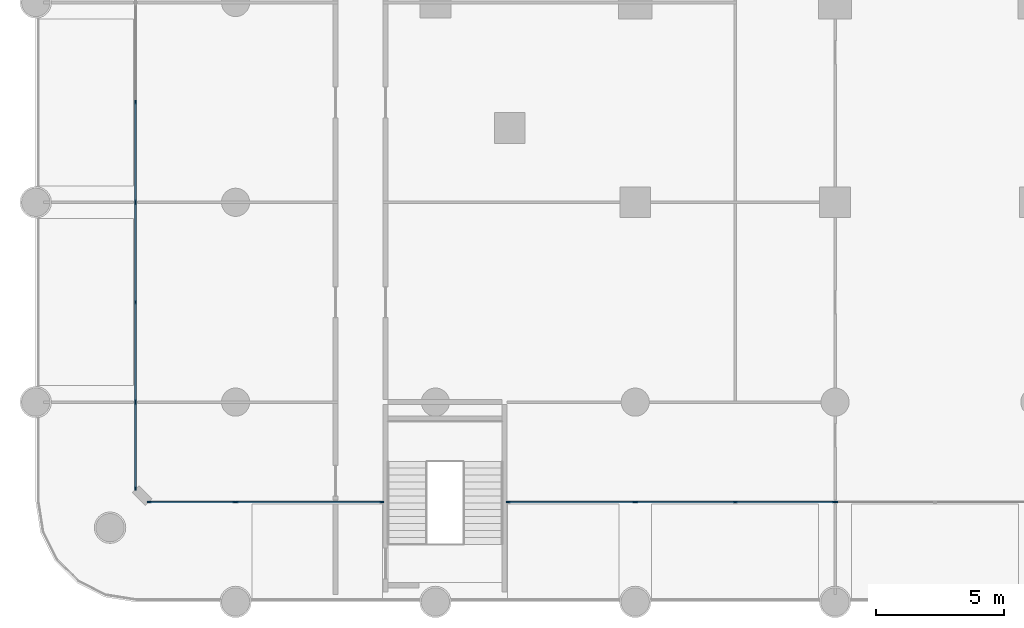
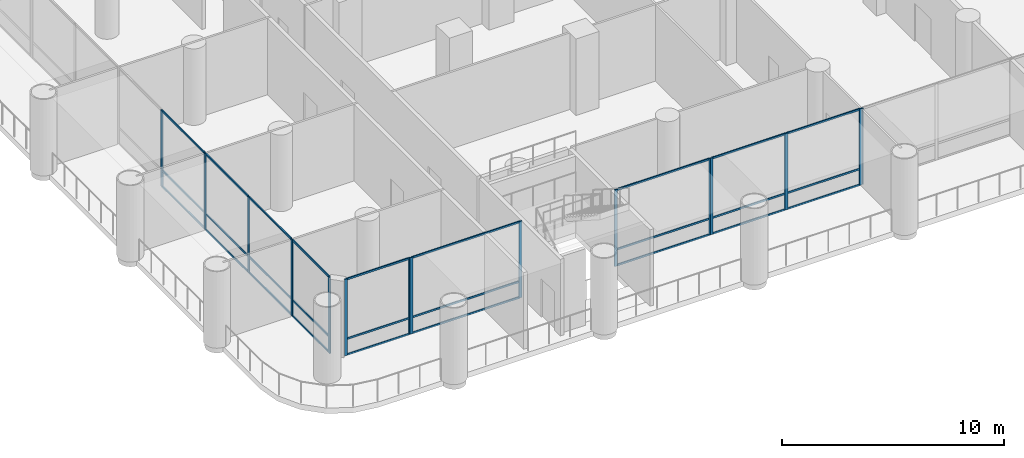
# One storey, part 2 of 24: 44 members, 8 elements without a shape of their own.
"""IFC4 building model written with IfcOpenShell, lengths in metres."""

import ifcopenshell
import ifcopenshell.guid

model = None  # the IFC model being written
_history = None  # IfcOwnerHistory: only IFC2X3 demands one
_inside = {}  # id of a spatial element -> (the spatial element, [elements in it])
_under = {}  # id of a project, library or spatial element -> (it, [spatial elements below it])
_declared = {}  # id of a project -> (the project, [libraries it declares])
_typed = {}  # id of a type object -> (the type object, [elements of that type])
_made_of = {}  # id of a material, layer set ... -> (it, [elements and type objects made of it])


def new_model(schema):
    """Start an empty IFC model of exactly this schema.

    Asked for "IFC4X3", IfcOpenShell would pick the latest addendum, in which some entities
    have other attributes; the version numbers below select the first issue.
    IFC2X3 requires an IfcOwnerHistory on every rooted entity: one is made here for all.
    """
    global model, _history
    if schema == "IFC4X3":
        model = ifcopenshell.file(schema_version=(4, 3, 0, 0))
    else:
        model = ifcopenshell.file(schema=schema)
    _inside.clear()
    _under.clear()
    _declared.clear()
    _typed.clear()
    _made_of.clear()
    _history = None
    if model.schema == "IFC2X3":
        org = make("IfcOrganization", Name="unknown")
        user = make(
            "IfcPersonAndOrganization",
            ThePerson=make("IfcPerson", FamilyName="unknown"),
            TheOrganization=org,
        )
        app = make(
            "IfcApplication",
            ApplicationDeveloper=org,
            Version="unknown",
            ApplicationFullName="unknown",
            ApplicationIdentifier="unknown",
        )
        _history = make(
            "IfcOwnerHistory",
            OwningUser=user,
            OwningApplication=app,
            ChangeAction="ADDED",
            CreationDate=0,
        )
    return model


def make(cls, **values):
    """One entity of the class cls with the attributes given. An attribute that is None is left unset."""
    return model.create_entity(
        cls, **{name: value for name, value in values.items() if value is not None}
    )


def rooted(cls, **values):
    """An entity with a GlobalId (a new one), such as an element, a storey or a relation."""
    return make(cls, GlobalId=ifcopenshell.guid.new(), OwnerHistory=_history, **values)


def si_unit(unit_type, name, prefix=None):
    """IfcSIUnit, for example si_unit("LENGTHUNIT", "METRE", prefix="MILLI")."""
    return make("IfcSIUnit", UnitType=unit_type, Prefix=prefix, Name=name)


def assignment(units):
    """IfcUnitAssignment: the units of a project."""
    return None if units is None else make("IfcUnitAssignment", Units=units)


def point(xyz):
    """IfcCartesianPoint."""
    return None if xyz is None else make("IfcCartesianPoint", Coordinates=xyz)


def direction(xyz):
    """IfcDirection."""
    return None if xyz is None else make("IfcDirection", DirectionRatios=xyz)


def frame(location, z_axis=None, x_axis=None):
    """IfcAxis2Placement3D, a coordinate frame: its origin and axes. An axis left out is left unset."""
    return make(
        "IfcAxis2Placement3D",
        Location=point(location),
        Axis=direction(z_axis),
        RefDirection=direction(x_axis),
    )


def frame_2d(location, x_axis=None):
    """IfcAxis2Placement2D, a coordinate frame in the plane: its origin and x axis."""
    return make(
        "IfcAxis2Placement2D", Location=point(location), RefDirection=direction(x_axis)
    )


def origin():
    """The frame at (0, 0, 0) with its axes left unset."""
    return frame((0.0, 0.0, 0.0))


def origin_2d():
    """The frame at (0, 0) in the plane with its x axis left unset."""
    return frame_2d((0.0, 0.0))


def place(relative_to, where):
    """IfcLocalPlacement: puts the frame where relative to a parent placement (None: the world)."""
    return make(
        "IfcLocalPlacement", PlacementRelTo=relative_to, RelativePlacement=where
    )


def context(
    kind, dimensions, precision=None, world=None, true_north=None, identifier=None
):
    """IfcGeometricRepresentationContext, for example the 3D "Model" context."""
    return make(
        "IfcGeometricRepresentationContext",
        ContextIdentifier=identifier,
        ContextType=kind,
        CoordinateSpaceDimension=dimensions,
        Precision=precision,
        WorldCoordinateSystem=world,
        TrueNorth=true_north,
    )


def subcontext(parent, identifier, kind, view, scale=None):
    """IfcGeometricRepresentationSubContext, for example "Body" below "Model"."""
    return make(
        "IfcGeometricRepresentationSubContext",
        ContextIdentifier=identifier,
        ContextType=kind,
        ParentContext=parent,
        TargetScale=scale,
        TargetView=view,
    )


def project(units=None, contexts=None):
    """IfcProject with its units and contexts."""
    return rooted(
        "IfcProject",
        Name="project",
        RepresentationContexts=contexts,
        UnitsInContext=assignment(units),
    )


def spatial(cls, under=None, at=None, **own):
    """A site, building, storey or space (cls), placed at a placement, below another one or the project."""
    s = rooted(cls, ObjectPlacement=at, **own)
    if under is not None:
        _under.setdefault(under.id(), (under, []))[1].append(s)
    return s


def profile(cls, at=None, kind="AREA", **sizes):
    """A parametric profile (cls). Its sizes go by their IFC names, for example OverallWidth=200.0."""
    return make(cls, ProfileType=kind, Position=at, **sizes)


def rectangle(**sizes):
    """IfcRectangleProfileDef."""
    return profile("IfcRectangleProfileDef", **sizes)


def extrude(swept, where, along, depth):
    """IfcExtrudedAreaSolid: the profile swept, set in the frame where, extruded along a direction by depth."""
    return make(
        "IfcExtrudedAreaSolid",
        SweptArea=swept,
        Position=where,
        ExtrudedDirection=direction(along),
        Depth=depth,
    )


def shape(context_of_items, identifier, shape_type, items):
    """IfcShapeRepresentation: the items that make up one representation, for example the "Body"."""
    return make(
        "IfcShapeRepresentation",
        ContextOfItems=context_of_items,
        RepresentationIdentifier=identifier,
        RepresentationType=shape_type,
        Items=items,
    )


def material(Name=None, Category=None):
    """IfcMaterial."""
    return make("IfcMaterial", Name=Name, Category=Category)


def material_profile(
    of_material, cross_section, Name=None, Category=None, Priority=None
):
    """IfcMaterialProfile: a cross section and its material."""
    return make(
        "IfcMaterialProfile",
        Name=Name,
        Material=of_material,
        Profile=cross_section,
        Priority=Priority,
        Category=Category,
    )


def profile_set(profiles, Name=None, composite=None):
    """IfcMaterialProfileSet."""
    return make(
        "IfcMaterialProfileSet",
        Name=Name,
        MaterialProfiles=profiles,
        CompositeProfile=composite,
    )


def made_of(thing, what):
    """Note that an element or type object is made of a material, layer set ...; save() writes the relation."""
    if what is not None:
        _made_of.setdefault(what.id(), (what, []))[1].append(thing)
    return thing


def type_object(cls, material=None, **own):
    """A type object (cls), such as IfcWallType, which elements share."""
    return made_of(rooted(cls, **own), material)


def element(
    cls,
    number,
    at=None,
    inside=None,
    cuts=None,
    type_object=None,
    material=None,
    context=None,
    identifier="Body",
    shape_type=None,
    held_by="IfcProductDefinitionShape",
    body=None,
    shapes=None,
    **own,
):
    """One element of the class cls, such as IfcWall. Its Tag is "e" and its number.

    at: its placement. inside: the storey or other place that contains it. cuts: it is an
    opening in that element (IfcRelVoidsElement). A single representation is given by context,
    identifier, shape_type and body (its items); several are given by shapes. held_by: the class
    of the entity that holds the representations. save() writes the other relations.
    """
    e = rooted(cls, Tag="e%d" % number, ObjectPlacement=at, **own)
    if body is not None:
        shapes = [shape(context, identifier, shape_type, body)]
    if shapes is not None:
        e.Representation = make(held_by, Representations=shapes)
    if inside is not None:
        _inside.setdefault(inside.id(), (inside, []))[1].append(e)
    if cuts is not None:
        rooted(
            "IfcRelVoidsElement", RelatingBuildingElement=cuts, RelatedOpeningElement=e
        )
    if type_object is not None:
        _typed.setdefault(type_object.id(), (type_object, []))[1].append(e)
    return made_of(e, material)


def aggregate(whole, parts):
    """IfcRelAggregates: a whole, such as a stair, and the parts it consists of."""
    return rooted("IfcRelAggregates", RelatingObject=whole, RelatedObjects=parts)


def save(model, path):
    """Write the relations noted so far, then the file.

    IfcRelAggregates (storeys below a building ...), IfcRelContainedInSpatialStructure (elements
    in a storey), IfcRelDefinesByType, IfcRelAssociatesMaterial and IfcRelDeclares: one each for
    every whole, place, type object, material and project.
    """
    for whole, parts in _under.values():
        aggregate(whole, parts)
    for where, things in _inside.values():
        rooted(
            "IfcRelContainedInSpatialStructure",
            RelatedElements=things,
            RelatingStructure=where,
        )
    for kind, things in _typed.values():
        rooted("IfcRelDefinesByType", RelatedObjects=things, RelatingType=kind)
    for what, things in _made_of.values():
        rooted("IfcRelAssociatesMaterial", RelatedObjects=things, RelatingMaterial=what)
    for by, libraries in _declared.values():
        rooted("IfcRelDeclares", RelatingContext=by, RelatedDefinitions=libraries)
    model.write(path)


model = new_model("IFC4")

# Units and contexts
model_context = context("Model", 3, precision=1e-05, world=origin(), true_north=direction((0.0, 1.0)))
body_context = subcontext(model_context, "Body", "Model", "MODEL_VIEW")
ifc_project = project(units=[si_unit("LENGTHUNIT", "METRE"), si_unit("AREAUNIT", "SQUARE_METRE"), si_unit("VOLUMEUNIT", "CUBIC_METRE"), si_unit("PLANEANGLEUNIT", "RADIAN"), si_unit("MASSUNIT", "GRAM", prefix="KILO")], contexts=[model_context])

# Site, building, storey
site_placement = place(None, origin())
site = spatial("IfcSite", under=ifc_project, at=site_placement, CompositionType="ELEMENT")
building_placement = place(site_placement, origin())
building = spatial("IfcBuilding", under=site, at=building_placement, Name="Ludao Terraces", CompositionType="ELEMENT")
storey_placement = place(building_placement, frame((0.0, 0.0, 6.0)))
storey = spatial("IfcBuildingStorey", under=building, at=storey_placement, Name="L01", CompositionType="ELEMENT", Elevation=6.0)

# Curtain wall, members
ifc_material_1 = material(Name="Aluminium curtain wall with fritted glass", Category="aluminium")
curtain_wall_type = type_object("IfcCurtainWallType", Name="ENV CW1 podium glazing", PredefinedType="NOTDEFINED", material=ifc_material_1)
curtain_wall_1_placement = place(storey_placement, origin())
curtain_wall_1 = element("IfcCurtainWall", 1, at=curtain_wall_1_placement, inside=storey, type_object=curtain_wall_type, Name="CW-L01-S1", PredefinedType="NOTDEFINED")
ifc_material_2 = material(Name="Aluminium 6063-T6", Category="aluminium")
ifc_material_profile_1 = material_profile(ifc_material_2, rectangle(XDim=0.06005859375, YDim=0.14990234375, at=origin_2d()), Name="60 X 150")
ifc_profile_set_1 = profile_set([ifc_material_profile_1], Name="Aluminium 6063-T6")
member_type_1 = type_object("IfcMemberType", Name="ENV CW1 mullion 60x150", PredefinedType="MULLION", material=ifc_profile_set_1)
member_1_placement = place(storey_placement, frame((50.429931640625, 29.89990234375, 0.0), z_axis=(0.0, 0.0, 1.0), x_axis=(0.0, 1.0, 0.0)))
member_1 = element("IfcMember", 2, at=member_1_placement, type_object=member_type_1, Name="CW1 mullion 1", PredefinedType="MULLION", context=body_context, shape_type="SweptSolid", body=[
    extrude(rectangle(XDim=0.06005859375, YDim=0.14990234375, at=origin_2d()), origin(), (0.0, 0.0, 1.0), 4.199951171875),
])
member_2_placement = place(storey_placement, frame((53.77001953125, 29.89990234375, 0.0), z_axis=(0.0, 0.0, 1.0), x_axis=(0.0, 1.0, 0.0)))
member_2 = element("IfcMember", 3, at=member_2_placement, type_object=member_type_1, Name="CW1 mullion 2", PredefinedType="MULLION", context=body_context, shape_type="SweptSolid", body=[
    extrude(rectangle(XDim=0.06005859375, YDim=0.14990234375, at=origin_2d()), origin(), (0.0, 0.0, 1.0), 4.199951171875),
])

curtain_wall_2_placement = place(storey_placement, origin())
curtain_wall_2 = element("IfcCurtainWall", 4, at=curtain_wall_2_placement, inside=storey, type_object=curtain_wall_type, Name="CW-L01-S2", PredefinedType="NOTDEFINED")
member_3_placement = place(storey_placement, frame((53.830078125, 29.89990234375, 0.0), z_axis=(0.0, 0.0, 1.0), x_axis=(0.0, 1.0, 0.0)))
member_3 = element("IfcMember", 5, at=member_3_placement, type_object=member_type_1, Name="CW1 mullion 1", PredefinedType="MULLION", context=body_context, shape_type="SweptSolid", body=[
    extrude(rectangle(XDim=0.06005859375, YDim=0.14990234375, at=origin_2d()), origin(), (0.0, 0.0, 1.0), 4.199951171875),
])
member_4_placement = place(storey_placement, frame((59.5, 29.89990234375, 0.0), z_axis=(0.0, 0.0, 1.0), x_axis=(0.0, 1.0, 0.0)))
member_4 = element("IfcMember", 6, at=member_4_placement, type_object=member_type_1, Name="CW1 mullion 2", PredefinedType="MULLION", context=body_context, shape_type="SweptSolid", body=[
    extrude(rectangle(XDim=0.06005859375, YDim=0.14990234375, at=origin_2d()), origin(), (0.0, 0.0, 1.0), 4.199951171875),
])

curtain_wall_3_placement = place(storey_placement, origin())
curtain_wall_3 = element("IfcCurtainWall", 7, at=curtain_wall_3_placement, inside=storey, type_object=curtain_wall_type, Name="CW-L01-S3", PredefinedType="NOTDEFINED")
member_5_placement = place(storey_placement, frame((64.449951171875, 29.89990234375, 0.0), z_axis=(0.0, 0.0, 1.0), x_axis=(0.0, 1.0, 0.0)))
member_5 = element("IfcMember", 8, at=member_5_placement, type_object=member_type_1, Name="CW1 mullion 1", PredefinedType="MULLION", context=body_context, shape_type="SweptSolid", body=[
    extrude(rectangle(XDim=0.06005859375, YDim=0.14990234375, at=origin_2d()), origin(), (0.0, 0.0, 1.0), 4.199951171875),
])
member_6_placement = place(storey_placement, frame((69.3701171875, 29.89990234375, 0.0), z_axis=(0.0, 0.0, 1.0), x_axis=(0.0, 1.0, 0.0)))
member_6 = element("IfcMember", 9, at=member_6_placement, type_object=member_type_1, Name="CW1 mullion 2", PredefinedType="MULLION", context=body_context, shape_type="SweptSolid", body=[
    extrude(rectangle(XDim=0.06005859375, YDim=0.14990234375, at=origin_2d()), origin(), (0.0, 0.0, 1.0), 4.199951171875),
])

curtain_wall_4_placement = place(storey_placement, origin())
curtain_wall_4 = element("IfcCurtainWall", 10, at=curtain_wall_4_placement, inside=storey, type_object=curtain_wall_type, Name="CW-L01-S4", PredefinedType="NOTDEFINED")
member_7_placement = place(storey_placement, frame((69.429931640625, 29.89990234375, 0.0), z_axis=(0.0, 0.0, 1.0), x_axis=(0.0, 1.0, 0.0)))
member_7 = element("IfcMember", 11, at=member_7_placement, type_object=member_type_1, Name="CW1 mullion 1", PredefinedType="MULLION", context=body_context, shape_type="SweptSolid", body=[
    extrude(rectangle(XDim=0.06005859375, YDim=0.14990234375, at=origin_2d()), origin(), (0.0, 0.0, 1.0), 4.199951171875),
])
member_8_placement = place(storey_placement, frame((73.300048828125, 29.89990234375, 0.0), z_axis=(0.0, 0.0, 1.0), x_axis=(0.0, 1.0, 0.0)))
member_8 = element("IfcMember", 12, at=member_8_placement, type_object=member_type_1, Name="CW1 mullion 2", PredefinedType="MULLION", context=body_context, shape_type="SweptSolid", body=[
    extrude(rectangle(XDim=0.06005859375, YDim=0.14990234375, at=origin_2d()), origin(), (0.0, 0.0, 1.0), 4.199951171875),
])
member_9_placement = place(storey_placement, frame((77.169921875, 29.89990234375, 0.0), z_axis=(0.0, 0.0, 1.0), x_axis=(0.0, 1.0, 0.0)))
member_9 = element("IfcMember", 13, at=member_9_placement, type_object=member_type_1, Name="CW1 mullion 3", PredefinedType="MULLION", context=body_context, shape_type="SweptSolid", body=[
    extrude(rectangle(XDim=0.06005859375, YDim=0.14990234375, at=origin_2d()), origin(), (0.0, 0.0, 1.0), 4.199951171875),
])

# Curtain wall, member
curtain_wall_5_placement = place(storey_placement, origin())
curtain_wall_5 = element("IfcCurtainWall", 14, at=curtain_wall_5_placement, inside=storey, type_object=curtain_wall_type, Name="CW-L01-S5", PredefinedType="NOTDEFINED")
member_10_placement = place(storey_placement, frame((77.22998046875, 29.89990234375, 0.0), z_axis=(0.0, 0.0, 1.0), x_axis=(0.0, 1.0, 0.0)))
member_10 = element("IfcMember", 15, at=member_10_placement, type_object=member_type_1, Name="CW1 mullion 1", PredefinedType="MULLION", context=body_context, shape_type="SweptSolid", body=[
    extrude(rectangle(XDim=0.06005859375, YDim=0.14990234375, at=origin_2d()), origin(), (0.0, 0.0, 1.0), 4.199951171875),
])
aggregate(curtain_wall_5, [member_10])

# Curtain wall, members
curtain_wall_6_placement = place(storey_placement, origin())
curtain_wall_6 = element("IfcCurtainWall", 16, at=curtain_wall_6_placement, inside=storey, type_object=curtain_wall_type, Name="CW-L01-W1", PredefinedType="NOTDEFINED")
member_11_placement = place(storey_placement, frame((49.89990234375, 30.429931640625, 0.0), z_axis=(0.0, 0.0, 1.0), x_axis=(-1.0, 0.0, 0.0)))
member_11 = element("IfcMember", 17, at=member_11_placement, type_object=member_type_1, Name="CW1 mullion 1", PredefinedType="MULLION", context=body_context, shape_type="SweptSolid", body=[
    extrude(rectangle(XDim=0.06005859375, YDim=0.14990234375, at=origin_2d()), origin(), (0.0, 0.0, 1.0), 4.199951171875),
])
member_12_placement = place(storey_placement, frame((49.89990234375, 33.77001953125, 0.0), z_axis=(0.0, 0.0, 1.0), x_axis=(-1.0, 0.0, 0.0)))
member_12 = element("IfcMember", 18, at=member_12_placement, type_object=member_type_1, Name="CW1 mullion 2", PredefinedType="MULLION", context=body_context, shape_type="SweptSolid", body=[
    extrude(rectangle(XDim=0.06005859375, YDim=0.14990234375, at=origin_2d()), origin(), (0.0, 0.0, 1.0), 4.199951171875),
])

curtain_wall_7_placement = place(storey_placement, origin())
curtain_wall_7 = element("IfcCurtainWall", 19, at=curtain_wall_7_placement, inside=storey, type_object=curtain_wall_type, Name="CW-L01-W2", PredefinedType="NOTDEFINED")
member_13_placement = place(storey_placement, frame((49.89990234375, 33.830078125, 0.0), z_axis=(0.0, 0.0, 1.0), x_axis=(-1.0, 0.0, 0.0)))
member_13 = element("IfcMember", 20, at=member_13_placement, type_object=member_type_1, Name="CW1 mullion 1", PredefinedType="MULLION", context=body_context, shape_type="SweptSolid", body=[
    extrude(rectangle(XDim=0.06005859375, YDim=0.14990234375, at=origin_2d()), origin(), (0.0, 0.0, 1.0), 4.199951171875),
])
member_14_placement = place(storey_placement, frame((49.89990234375, 37.699951171875, 0.0), z_axis=(0.0, 0.0, 1.0), x_axis=(-1.0, 0.0, 0.0)))
member_14 = element("IfcMember", 21, at=member_14_placement, type_object=member_type_1, Name="CW1 mullion 2", PredefinedType="MULLION", context=body_context, shape_type="SweptSolid", body=[
    extrude(rectangle(XDim=0.06005859375, YDim=0.14990234375, at=origin_2d()), origin(), (0.0, 0.0, 1.0), 4.199951171875),
])
member_15_placement = place(storey_placement, frame((49.89990234375, 41.570068359375, 0.0), z_axis=(0.0, 0.0, 1.0), x_axis=(-1.0, 0.0, 0.0)))
member_15 = element("IfcMember", 22, at=member_15_placement, type_object=member_type_1, Name="CW1 mullion 3", PredefinedType="MULLION", context=body_context, shape_type="SweptSolid", body=[
    extrude(rectangle(XDim=0.06005859375, YDim=0.14990234375, at=origin_2d()), origin(), (0.0, 0.0, 1.0), 4.199951171875),
])

curtain_wall_8_placement = place(storey_placement, origin())
curtain_wall_8 = element("IfcCurtainWall", 23, at=curtain_wall_8_placement, inside=storey, type_object=curtain_wall_type, Name="CW-L01-W3", PredefinedType="NOTDEFINED")
member_16_placement = place(storey_placement, frame((49.89990234375, 41.6298828125, 0.0), z_axis=(0.0, 0.0, 1.0), x_axis=(-1.0, 0.0, 0.0)))
member_16 = element("IfcMember", 24, at=member_16_placement, type_object=member_type_1, Name="CW1 mullion 1", PredefinedType="MULLION", context=body_context, shape_type="SweptSolid", body=[
    extrude(rectangle(XDim=0.06005859375, YDim=0.14990234375, at=origin_2d()), origin(), (0.0, 0.0, 1.0), 4.199951171875),
])
member_17_placement = place(storey_placement, frame((49.89990234375, 45.5, 0.0), z_axis=(0.0, 0.0, 1.0), x_axis=(-1.0, 0.0, 0.0)))
member_17 = element("IfcMember", 25, at=member_17_placement, type_object=member_type_1, Name="CW1 mullion 2", PredefinedType="MULLION", context=body_context, shape_type="SweptSolid", body=[
    extrude(rectangle(XDim=0.06005859375, YDim=0.14990234375, at=origin_2d()), origin(), (0.0, 0.0, 1.0), 4.199951171875),
])

# Member
ifc_material_profile_2 = material_profile(ifc_material_2, rectangle(XDim=0.06005859375, YDim=0.10009765625, at=origin_2d()), Name="60 X 100")
ifc_profile_set_2 = profile_set([ifc_material_profile_2], Name="Aluminium 6063-T6")
member_type_2 = type_object("IfcMemberType", Name="ENV CW1 transom 60x100", PredefinedType="USERDEFINED", material=ifc_profile_set_2)
member_18_placement = place(storey_placement, frame((50.4599609375, 29.89990234375, 0.030029296875), z_axis=(1.0, 0.0, 0.0), x_axis=(0.0, 1.0, 0.0)))
member_18 = element("IfcMember", 26, at=member_18_placement, type_object=member_type_2, Name="CW1 transom 1.1", ObjectType="TRANSOM", PredefinedType="USERDEFINED", context=body_context, shape_type="SweptSolid", body=[
    extrude(rectangle(XDim=0.06005859375, YDim=0.10009765625, at=origin_2d()), origin(), (0.0, 0.0, 1.0), 3.280029296875),
])

member_19_placement = place(storey_placement, frame((50.4599609375, 29.89990234375, 0.89990234375), z_axis=(1.0, 0.0, 0.0), x_axis=(0.0, 1.0, 0.0)))
member_19 = element("IfcMember", 27, at=member_19_placement, type_object=member_type_2, Name="CW1 transom 1.2", ObjectType="TRANSOM", PredefinedType="USERDEFINED", context=body_context, shape_type="SweptSolid", body=[
    extrude(rectangle(XDim=0.06005859375, YDim=0.10009765625, at=origin_2d()), origin(), (0.0, 0.0, 1.0), 3.280029296875),
])

member_20_placement = place(storey_placement, frame((50.4599609375, 29.89990234375, 4.169921875), z_axis=(1.0, 0.0, 0.0), x_axis=(0.0, 1.0, 0.0)))
member_20 = element("IfcMember", 28, at=member_20_placement, type_object=member_type_2, Name="CW1 transom 1.3", ObjectType="TRANSOM", PredefinedType="USERDEFINED", context=body_context, shape_type="SweptSolid", body=[
    extrude(rectangle(XDim=0.06005859375, YDim=0.10009765625, at=origin_2d()), origin(), (0.0, 0.0, 1.0), 3.280029296875),
])

aggregate(curtain_wall_1, [member_1, member_2, member_18, member_19, member_20])

member_21_placement = place(storey_placement, frame((53.860107421875, 29.89990234375, 0.030029296875), z_axis=(1.0, 0.0, 0.0), x_axis=(0.0, 1.0, 0.0)))
member_21 = element("IfcMember", 29, at=member_21_placement, type_object=member_type_2, Name="CW1 transom 1.1", ObjectType="TRANSOM", PredefinedType="USERDEFINED", context=body_context, shape_type="SweptSolid", body=[
    extrude(rectangle(XDim=0.06005859375, YDim=0.10009765625, at=origin_2d()), origin(), (0.0, 0.0, 1.0), 5.60986328125),
])

member_22_placement = place(storey_placement, frame((53.860107421875, 29.89990234375, 0.89990234375), z_axis=(1.0, 0.0, 0.0), x_axis=(0.0, 1.0, 0.0)))
member_22 = element("IfcMember", 30, at=member_22_placement, type_object=member_type_2, Name="CW1 transom 1.2", ObjectType="TRANSOM", PredefinedType="USERDEFINED", context=body_context, shape_type="SweptSolid", body=[
    extrude(rectangle(XDim=0.06005859375, YDim=0.10009765625, at=origin_2d()), origin(), (0.0, 0.0, 1.0), 5.60986328125),
])

member_23_placement = place(storey_placement, frame((53.860107421875, 29.89990234375, 4.169921875), z_axis=(1.0, 0.0, 0.0), x_axis=(0.0, 1.0, 0.0)))
member_23 = element("IfcMember", 31, at=member_23_placement, type_object=member_type_2, Name="CW1 transom 1.3", ObjectType="TRANSOM", PredefinedType="USERDEFINED", context=body_context, shape_type="SweptSolid", body=[
    extrude(rectangle(XDim=0.06005859375, YDim=0.10009765625, at=origin_2d()), origin(), (0.0, 0.0, 1.0), 5.60986328125),
])

aggregate(curtain_wall_2, [member_3, member_4, member_21, member_22, member_23])

member_24_placement = place(storey_placement, frame((64.47998046875, 29.89990234375, 0.030029296875), z_axis=(1.0, 0.0, 0.0), x_axis=(0.0, 1.0, 0.0)))
member_24 = element("IfcMember", 32, at=member_24_placement, type_object=member_type_2, Name="CW1 transom 1.1", ObjectType="TRANSOM", PredefinedType="USERDEFINED", context=body_context, shape_type="SweptSolid", body=[
    extrude(rectangle(XDim=0.06005859375, YDim=0.10009765625, at=origin_2d()), origin(), (0.0, 0.0, 1.0), 4.860107421875),
])

member_25_placement = place(storey_placement, frame((64.47998046875, 29.89990234375, 0.89990234375), z_axis=(1.0, 0.0, 0.0), x_axis=(0.0, 1.0, 0.0)))
member_25 = element("IfcMember", 33, at=member_25_placement, type_object=member_type_2, Name="CW1 transom 1.2", ObjectType="TRANSOM", PredefinedType="USERDEFINED", context=body_context, shape_type="SweptSolid", body=[
    extrude(rectangle(XDim=0.06005859375, YDim=0.10009765625, at=origin_2d()), origin(), (0.0, 0.0, 1.0), 4.860107421875),
])

member_26_placement = place(storey_placement, frame((64.47998046875, 29.89990234375, 4.169921875), z_axis=(1.0, 0.0, 0.0), x_axis=(0.0, 1.0, 0.0)))
member_26 = element("IfcMember", 34, at=member_26_placement, type_object=member_type_2, Name="CW1 transom 1.3", ObjectType="TRANSOM", PredefinedType="USERDEFINED", context=body_context, shape_type="SweptSolid", body=[
    extrude(rectangle(XDim=0.06005859375, YDim=0.10009765625, at=origin_2d()), origin(), (0.0, 0.0, 1.0), 4.860107421875),
])

aggregate(curtain_wall_3, [member_5, member_6, member_24, member_25, member_26])

member_27_placement = place(storey_placement, frame((69.4599609375, 29.89990234375, 0.030029296875), z_axis=(1.0, 0.0, 0.0), x_axis=(0.0, 1.0, 0.0)))
member_27 = element("IfcMember", 35, at=member_27_placement, type_object=member_type_2, Name="CW1 transom 1.1", ObjectType="TRANSOM", PredefinedType="USERDEFINED", context=body_context, shape_type="SweptSolid", body=[
    extrude(rectangle(XDim=0.06005859375, YDim=0.10009765625, at=origin_2d()), origin(), (0.0, 0.0, 1.0), 3.81005859375),
])

member_28_placement = place(storey_placement, frame((69.4599609375, 29.89990234375, 0.89990234375), z_axis=(1.0, 0.0, 0.0), x_axis=(0.0, 1.0, 0.0)))
member_28 = element("IfcMember", 36, at=member_28_placement, type_object=member_type_2, Name="CW1 transom 1.2", ObjectType="TRANSOM", PredefinedType="USERDEFINED", context=body_context, shape_type="SweptSolid", body=[
    extrude(rectangle(XDim=0.06005859375, YDim=0.10009765625, at=origin_2d()), origin(), (0.0, 0.0, 1.0), 3.81005859375),
])

member_29_placement = place(storey_placement, frame((69.4599609375, 29.89990234375, 4.169921875), z_axis=(1.0, 0.0, 0.0), x_axis=(0.0, 1.0, 0.0)))
member_29 = element("IfcMember", 37, at=member_29_placement, type_object=member_type_2, Name="CW1 transom 1.3", ObjectType="TRANSOM", PredefinedType="USERDEFINED", context=body_context, shape_type="SweptSolid", body=[
    extrude(rectangle(XDim=0.06005859375, YDim=0.10009765625, at=origin_2d()), origin(), (0.0, 0.0, 1.0), 3.81005859375),
])

member_30_placement = place(storey_placement, frame((73.330078125, 29.89990234375, 0.030029296875), z_axis=(1.0, 0.0, 0.0), x_axis=(0.0, 1.0, 0.0)))
member_30 = element("IfcMember", 38, at=member_30_placement, type_object=member_type_2, Name="CW1 transom 2.1", ObjectType="TRANSOM", PredefinedType="USERDEFINED", context=body_context, shape_type="SweptSolid", body=[
    extrude(rectangle(XDim=0.06005859375, YDim=0.10009765625, at=origin_2d()), origin(), (0.0, 0.0, 1.0), 3.809814453125),
])

member_31_placement = place(storey_placement, frame((73.330078125, 29.89990234375, 0.89990234375), z_axis=(1.0, 0.0, 0.0), x_axis=(0.0, 1.0, 0.0)))
member_31 = element("IfcMember", 39, at=member_31_placement, type_object=member_type_2, Name="CW1 transom 2.2", ObjectType="TRANSOM", PredefinedType="USERDEFINED", context=body_context, shape_type="SweptSolid", body=[
    extrude(rectangle(XDim=0.06005859375, YDim=0.10009765625, at=origin_2d()), origin(), (0.0, 0.0, 1.0), 3.809814453125),
])

member_32_placement = place(storey_placement, frame((73.330078125, 29.89990234375, 4.169921875), z_axis=(1.0, 0.0, 0.0), x_axis=(0.0, 1.0, 0.0)))
member_32 = element("IfcMember", 40, at=member_32_placement, type_object=member_type_2, Name="CW1 transom 2.3", ObjectType="TRANSOM", PredefinedType="USERDEFINED", context=body_context, shape_type="SweptSolid", body=[
    extrude(rectangle(XDim=0.06005859375, YDim=0.10009765625, at=origin_2d()), origin(), (0.0, 0.0, 1.0), 3.809814453125),
])

aggregate(curtain_wall_4, [member_7, member_8, member_9, member_27, member_28, member_29, member_30, member_31, member_32])

member_33_placement = place(storey_placement, frame((49.89990234375, 30.4599609375, 0.030029296875), z_axis=(0.0, 1.0, 0.0), x_axis=(-1.0, 0.0, 0.0)))
member_33 = element("IfcMember", 41, at=member_33_placement, type_object=member_type_2, Name="CW1 transom 1.1", ObjectType="TRANSOM", PredefinedType="USERDEFINED", context=body_context, shape_type="SweptSolid", body=[
    extrude(rectangle(XDim=0.06005859375, YDim=0.10009765625, at=origin_2d()), origin(), (0.0, 0.0, 1.0), 3.280029296875),
])

member_34_placement = place(storey_placement, frame((49.89990234375, 30.4599609375, 0.89990234375), z_axis=(0.0, 1.0, 0.0), x_axis=(-1.0, 0.0, 0.0)))
member_34 = element("IfcMember", 42, at=member_34_placement, type_object=member_type_2, Name="CW1 transom 1.2", ObjectType="TRANSOM", PredefinedType="USERDEFINED", context=body_context, shape_type="SweptSolid", body=[
    extrude(rectangle(XDim=0.06005859375, YDim=0.10009765625, at=origin_2d()), origin(), (0.0, 0.0, 1.0), 3.280029296875),
])

member_35_placement = place(storey_placement, frame((49.89990234375, 30.4599609375, 4.169921875), z_axis=(0.0, 1.0, 0.0), x_axis=(-1.0, 0.0, 0.0)))
member_35 = element("IfcMember", 43, at=member_35_placement, type_object=member_type_2, Name="CW1 transom 1.3", ObjectType="TRANSOM", PredefinedType="USERDEFINED", context=body_context, shape_type="SweptSolid", body=[
    extrude(rectangle(XDim=0.06005859375, YDim=0.10009765625, at=origin_2d()), origin(), (0.0, 0.0, 1.0), 3.280029296875),
])

aggregate(curtain_wall_6, [member_11, member_12, member_33, member_34, member_35])

member_36_placement = place(storey_placement, frame((49.89990234375, 33.860107421875, 0.030029296875), z_axis=(0.0, 1.0, 0.0), x_axis=(-1.0, 0.0, 0.0)))
member_36 = element("IfcMember", 44, at=member_36_placement, type_object=member_type_2, Name="CW1 transom 1.1", ObjectType="TRANSOM", PredefinedType="USERDEFINED", context=body_context, shape_type="SweptSolid", body=[
    extrude(rectangle(XDim=0.06005859375, YDim=0.10009765625, at=origin_2d()), origin(), (0.0, 0.0, 1.0), 3.809814453125),
])

member_37_placement = place(storey_placement, frame((49.89990234375, 33.860107421875, 0.89990234375), z_axis=(0.0, 1.0, 0.0), x_axis=(-1.0, 0.0, 0.0)))
member_37 = element("IfcMember", 45, at=member_37_placement, type_object=member_type_2, Name="CW1 transom 1.2", ObjectType="TRANSOM", PredefinedType="USERDEFINED", context=body_context, shape_type="SweptSolid", body=[
    extrude(rectangle(XDim=0.06005859375, YDim=0.10009765625, at=origin_2d()), origin(), (0.0, 0.0, 1.0), 3.809814453125),
])

member_38_placement = place(storey_placement, frame((49.89990234375, 33.860107421875, 4.169921875), z_axis=(0.0, 1.0, 0.0), x_axis=(-1.0, 0.0, 0.0)))
member_38 = element("IfcMember", 46, at=member_38_placement, type_object=member_type_2, Name="CW1 transom 1.3", ObjectType="TRANSOM", PredefinedType="USERDEFINED", context=body_context, shape_type="SweptSolid", body=[
    extrude(rectangle(XDim=0.06005859375, YDim=0.10009765625, at=origin_2d()), origin(), (0.0, 0.0, 1.0), 3.809814453125),
])

member_39_placement = place(storey_placement, frame((49.89990234375, 37.72998046875, 0.030029296875), z_axis=(0.0, 1.0, 0.0), x_axis=(-1.0, 0.0, 0.0)))
member_39 = element("IfcMember", 47, at=member_39_placement, type_object=member_type_2, Name="CW1 transom 2.1", ObjectType="TRANSOM", PredefinedType="USERDEFINED", context=body_context, shape_type="SweptSolid", body=[
    extrude(rectangle(XDim=0.06005859375, YDim=0.10009765625, at=origin_2d()), origin(), (0.0, 0.0, 1.0), 3.81005859375),
])

member_40_placement = place(storey_placement, frame((49.89990234375, 37.72998046875, 0.89990234375), z_axis=(0.0, 1.0, 0.0), x_axis=(-1.0, 0.0, 0.0)))
member_40 = element("IfcMember", 48, at=member_40_placement, type_object=member_type_2, Name="CW1 transom 2.2", ObjectType="TRANSOM", PredefinedType="USERDEFINED", context=body_context, shape_type="SweptSolid", body=[
    extrude(rectangle(XDim=0.06005859375, YDim=0.10009765625, at=origin_2d()), origin(), (0.0, 0.0, 1.0), 3.81005859375),
])

member_41_placement = place(storey_placement, frame((49.89990234375, 37.72998046875, 4.169921875), z_axis=(0.0, 1.0, 0.0), x_axis=(-1.0, 0.0, 0.0)))
member_41 = element("IfcMember", 49, at=member_41_placement, type_object=member_type_2, Name="CW1 transom 2.3", ObjectType="TRANSOM", PredefinedType="USERDEFINED", context=body_context, shape_type="SweptSolid", body=[
    extrude(rectangle(XDim=0.06005859375, YDim=0.10009765625, at=origin_2d()), origin(), (0.0, 0.0, 1.0), 3.81005859375),
])

aggregate(curtain_wall_7, [member_13, member_14, member_15, member_36, member_37, member_38, member_39, member_40, member_41])

member_42_placement = place(storey_placement, frame((49.89990234375, 41.659912109375, 0.030029296875), z_axis=(0.0, 1.0, 0.0), x_axis=(-1.0, 0.0, 0.0)))
member_42 = element("IfcMember", 50, at=member_42_placement, type_object=member_type_2, Name="CW1 transom 1.1", ObjectType="TRANSOM", PredefinedType="USERDEFINED", context=body_context, shape_type="SweptSolid", body=[
    extrude(rectangle(XDim=0.06005859375, YDim=0.10009765625, at=origin_2d()), origin(), (0.0, 0.0, 1.0), 3.81005859375),
])

member_43_placement = place(storey_placement, frame((49.89990234375, 41.659912109375, 0.89990234375), z_axis=(0.0, 1.0, 0.0), x_axis=(-1.0, 0.0, 0.0)))
member_43 = element("IfcMember", 51, at=member_43_placement, type_object=member_type_2, Name="CW1 transom 1.2", ObjectType="TRANSOM", PredefinedType="USERDEFINED", context=body_context, shape_type="SweptSolid", body=[
    extrude(rectangle(XDim=0.06005859375, YDim=0.10009765625, at=origin_2d()), origin(), (0.0, 0.0, 1.0), 3.81005859375),
])

member_44_placement = place(storey_placement, frame((49.89990234375, 41.659912109375, 4.169921875), z_axis=(0.0, 1.0, 0.0), x_axis=(-1.0, 0.0, 0.0)))
member_44 = element("IfcMember", 52, at=member_44_placement, type_object=member_type_2, Name="CW1 transom 1.3", ObjectType="TRANSOM", PredefinedType="USERDEFINED", context=body_context, shape_type="SweptSolid", body=[
    extrude(rectangle(XDim=0.06005859375, YDim=0.10009765625, at=origin_2d()), origin(), (0.0, 0.0, 1.0), 3.81005859375),
])

aggregate(curtain_wall_8, [member_16, member_17, member_42, member_43, member_44])

save(model, "model.ifc")
